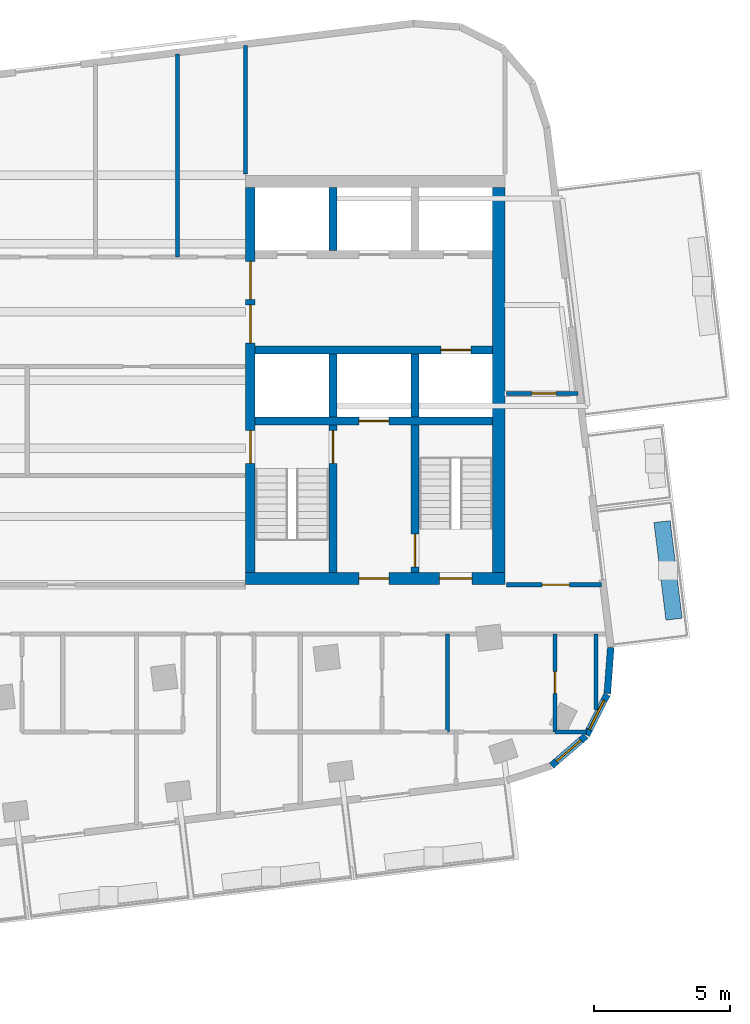
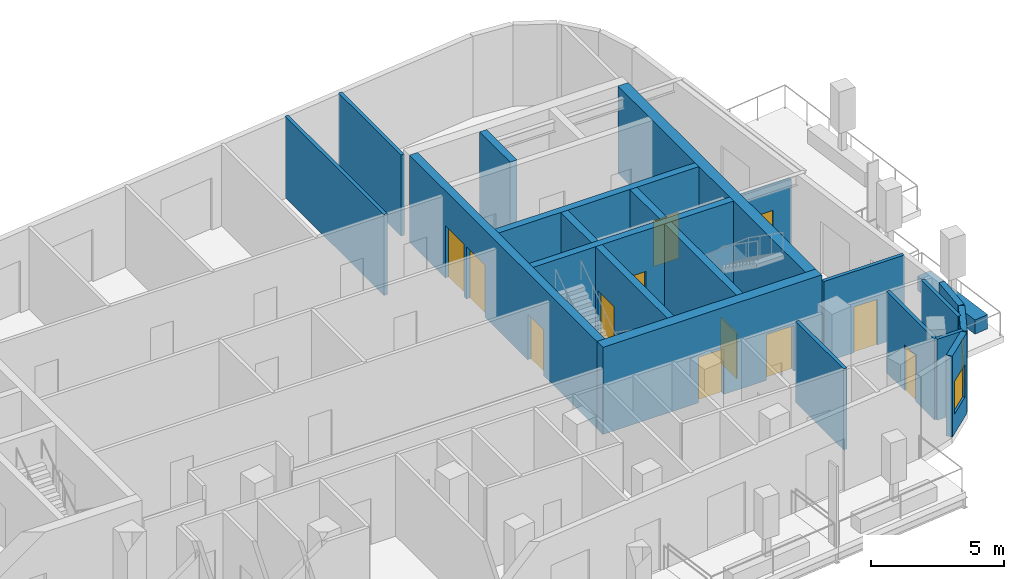
# One storey, part 6 of 11: 22 walls, 12 doors, 2 windows, 14 openings.
"""IFC4 building model written with IfcOpenShell, lengths in metres."""

import ifcopenshell
import ifcopenshell.guid

model = None  # the IFC model being written
_history = None  # IfcOwnerHistory: only IFC2X3 demands one
_inside = {}  # id of a spatial element -> (the spatial element, [elements in it])
_under = {}  # id of a project, library or spatial element -> (it, [spatial elements below it])
_declared = {}  # id of a project -> (the project, [libraries it declares])
_typed = {}  # id of a type object -> (the type object, [elements of that type])
_made_of = {}  # id of a material, layer set ... -> (it, [elements and type objects made of it])


def new_model(schema):
    """Start an empty IFC model of exactly this schema.

    Asked for "IFC4X3", IfcOpenShell would pick the latest addendum, in which some entities
    have other attributes; the version numbers below select the first issue.
    IFC2X3 requires an IfcOwnerHistory on every rooted entity: one is made here for all.
    """
    global model, _history
    if schema == "IFC4X3":
        model = ifcopenshell.file(schema_version=(4, 3, 0, 0))
    else:
        model = ifcopenshell.file(schema=schema)
    _inside.clear()
    _under.clear()
    _declared.clear()
    _typed.clear()
    _made_of.clear()
    _history = None
    if model.schema == "IFC2X3":
        org = make("IfcOrganization", Name="unknown")
        user = make(
            "IfcPersonAndOrganization",
            ThePerson=make("IfcPerson", FamilyName="unknown"),
            TheOrganization=org,
        )
        app = make(
            "IfcApplication",
            ApplicationDeveloper=org,
            Version="unknown",
            ApplicationFullName="unknown",
            ApplicationIdentifier="unknown",
        )
        _history = make(
            "IfcOwnerHistory",
            OwningUser=user,
            OwningApplication=app,
            ChangeAction="ADDED",
            CreationDate=0,
        )
    return model


def make(cls, **values):
    """One entity of the class cls with the attributes given. An attribute that is None is left unset."""
    return model.create_entity(
        cls, **{name: value for name, value in values.items() if value is not None}
    )


def rooted(cls, **values):
    """An entity with a GlobalId (a new one), such as an element, a storey or a relation."""
    return make(cls, GlobalId=ifcopenshell.guid.new(), OwnerHistory=_history, **values)


def si_unit(unit_type, name, prefix=None):
    """IfcSIUnit, for example si_unit("LENGTHUNIT", "METRE", prefix="MILLI")."""
    return make("IfcSIUnit", UnitType=unit_type, Prefix=prefix, Name=name)


def assignment(units):
    """IfcUnitAssignment: the units of a project."""
    return None if units is None else make("IfcUnitAssignment", Units=units)


def point(xyz):
    """IfcCartesianPoint."""
    return None if xyz is None else make("IfcCartesianPoint", Coordinates=xyz)


def direction(xyz):
    """IfcDirection."""
    return None if xyz is None else make("IfcDirection", DirectionRatios=xyz)


def frame(location, z_axis=None, x_axis=None):
    """IfcAxis2Placement3D, a coordinate frame: its origin and axes. An axis left out is left unset."""
    return make(
        "IfcAxis2Placement3D",
        Location=point(location),
        Axis=direction(z_axis),
        RefDirection=direction(x_axis),
    )


def frame_2d(location, x_axis=None):
    """IfcAxis2Placement2D, a coordinate frame in the plane: its origin and x axis."""
    return make(
        "IfcAxis2Placement2D", Location=point(location), RefDirection=direction(x_axis)
    )


def origin():
    """The frame at (0, 0, 0) with its axes left unset."""
    return frame((0.0, 0.0, 0.0))


def place(relative_to, where):
    """IfcLocalPlacement: puts the frame where relative to a parent placement (None: the world)."""
    return make(
        "IfcLocalPlacement", PlacementRelTo=relative_to, RelativePlacement=where
    )


def context(
    kind, dimensions, precision=None, world=None, true_north=None, identifier=None
):
    """IfcGeometricRepresentationContext, for example the 3D "Model" context."""
    return make(
        "IfcGeometricRepresentationContext",
        ContextIdentifier=identifier,
        ContextType=kind,
        CoordinateSpaceDimension=dimensions,
        Precision=precision,
        WorldCoordinateSystem=world,
        TrueNorth=true_north,
    )


def subcontext(parent, identifier, kind, view, scale=None):
    """IfcGeometricRepresentationSubContext, for example "Body" below "Model"."""
    return make(
        "IfcGeometricRepresentationSubContext",
        ContextIdentifier=identifier,
        ContextType=kind,
        ParentContext=parent,
        TargetScale=scale,
        TargetView=view,
    )


def project(units=None, contexts=None):
    """IfcProject with its units and contexts."""
    return rooted(
        "IfcProject",
        Name="project",
        RepresentationContexts=contexts,
        UnitsInContext=assignment(units),
    )


def spatial(cls, under=None, at=None, **own):
    """A site, building, storey or space (cls), placed at a placement, below another one or the project."""
    s = rooted(cls, ObjectPlacement=at, **own)
    if under is not None:
        _under.setdefault(under.id(), (under, []))[1].append(s)
    return s


def profile(cls, at=None, kind="AREA", **sizes):
    """A parametric profile (cls). Its sizes go by their IFC names, for example OverallWidth=200.0."""
    return make(cls, ProfileType=kind, Position=at, **sizes)


def rectangle(**sizes):
    """IfcRectangleProfileDef."""
    return profile("IfcRectangleProfileDef", **sizes)


def extrude(swept, where, along, depth):
    """IfcExtrudedAreaSolid: the profile swept, set in the frame where, extruded along a direction by depth."""
    return make(
        "IfcExtrudedAreaSolid",
        SweptArea=swept,
        Position=where,
        ExtrudedDirection=direction(along),
        Depth=depth,
    )


def shape(context_of_items, identifier, shape_type, items):
    """IfcShapeRepresentation: the items that make up one representation, for example the "Body"."""
    return make(
        "IfcShapeRepresentation",
        ContextOfItems=context_of_items,
        RepresentationIdentifier=identifier,
        RepresentationType=shape_type,
        Items=items,
    )


def material(Name=None, Category=None):
    """IfcMaterial."""
    return make("IfcMaterial", Name=Name, Category=Category)


def layer(
    of_material, thickness, ventilated=None, Name=None, Category=None, Priority=None
):
    """IfcMaterialLayer: one layer of a wall or slab, of a material (None: an air gap)."""
    return make(
        "IfcMaterialLayer",
        Material=of_material,
        LayerThickness=thickness,
        IsVentilated=ventilated,
        Name=Name,
        Category=Category,
        Priority=Priority,
    )


def layer_set(layers, Name=None):
    """IfcMaterialLayerSet."""
    return make("IfcMaterialLayerSet", MaterialLayers=layers, LayerSetName=Name)


def made_of(thing, what):
    """Note that an element or type object is made of a material, layer set ...; save() writes the relation."""
    if what is not None:
        _made_of.setdefault(what.id(), (what, []))[1].append(thing)
    return thing


def type_object(cls, material=None, **own):
    """A type object (cls), such as IfcWallType, which elements share."""
    return made_of(rooted(cls, **own), material)


def element(
    cls,
    number,
    at=None,
    inside=None,
    cuts=None,
    type_object=None,
    material=None,
    context=None,
    identifier="Body",
    shape_type=None,
    held_by="IfcProductDefinitionShape",
    body=None,
    shapes=None,
    **own,
):
    """One element of the class cls, such as IfcWall. Its Tag is "e" and its number.

    at: its placement. inside: the storey or other place that contains it. cuts: it is an
    opening in that element (IfcRelVoidsElement). A single representation is given by context,
    identifier, shape_type and body (its items); several are given by shapes. held_by: the class
    of the entity that holds the representations. save() writes the other relations.
    """
    e = rooted(cls, Tag="e%d" % number, ObjectPlacement=at, **own)
    if body is not None:
        shapes = [shape(context, identifier, shape_type, body)]
    if shapes is not None:
        e.Representation = make(held_by, Representations=shapes)
    if inside is not None:
        _inside.setdefault(inside.id(), (inside, []))[1].append(e)
    if cuts is not None:
        rooted(
            "IfcRelVoidsElement", RelatingBuildingElement=cuts, RelatedOpeningElement=e
        )
    if type_object is not None:
        _typed.setdefault(type_object.id(), (type_object, []))[1].append(e)
    return made_of(e, material)


def fill(opening, filler):
    """IfcRelFillsElement: the door or window that sits in an opening."""
    return rooted(
        "IfcRelFillsElement",
        RelatingOpeningElement=opening,
        RelatedBuildingElement=filler,
    )


def aggregate(whole, parts):
    """IfcRelAggregates: a whole, such as a stair, and the parts it consists of."""
    return rooted("IfcRelAggregates", RelatingObject=whole, RelatedObjects=parts)


def save(model, path):
    """Write the relations noted so far, then the file.

    IfcRelAggregates (storeys below a building ...), IfcRelContainedInSpatialStructure (elements
    in a storey), IfcRelDefinesByType, IfcRelAssociatesMaterial and IfcRelDeclares: one each for
    every whole, place, type object, material and project.
    """
    for whole, parts in _under.values():
        aggregate(whole, parts)
    for where, things in _inside.values():
        rooted(
            "IfcRelContainedInSpatialStructure",
            RelatedElements=things,
            RelatingStructure=where,
        )
    for kind, things in _typed.values():
        rooted("IfcRelDefinesByType", RelatedObjects=things, RelatingType=kind)
    for what, things in _made_of.values():
        rooted("IfcRelAssociatesMaterial", RelatedObjects=things, RelatingMaterial=what)
    for by, libraries in _declared.values():
        rooted("IfcRelDeclares", RelatingContext=by, RelatedDefinitions=libraries)
    model.write(path)


model = new_model("IFC4")

# Units and contexts
model_context = context("Model", 3, precision=1e-05, world=origin(), true_north=direction((0.0, 1.0)))
body_context = subcontext(model_context, "Body", "Model", "MODEL_VIEW")
ifc_project = project(units=[si_unit("LENGTHUNIT", "METRE"), si_unit("AREAUNIT", "SQUARE_METRE"), si_unit("VOLUMEUNIT", "CUBIC_METRE"), si_unit("PLANEANGLEUNIT", "RADIAN"), si_unit("MASSUNIT", "GRAM", prefix="KILO")], contexts=[model_context])

# Site, building, storey
site_placement = place(None, origin())
site = spatial("IfcSite", under=ifc_project, at=site_placement, CompositionType="ELEMENT")
building_placement = place(site_placement, origin())
building = spatial("IfcBuilding", under=site, at=building_placement, Name="Torana Hotel and Residences", CompositionType="ELEMENT")
storey_placement = place(building_placement, frame((0.0, 0.0, 322.60009765625)))
storey = spatial("IfcBuildingStorey", under=building, at=storey_placement, Name="L85", CompositionType="ELEMENT", Elevation=322.60009765625)

# Wall, opening, door
ifc_material_1 = material(Name="Concrete C60/75", Category="concrete")
ifc_layer_1 = layer(ifc_material_1, 0.300048828125)
ifc_layer_set_1 = layer_set([ifc_layer_1], Name="CORE WALL 300 C60/75")
wall_type_1 = type_object("IfcWallType", Name="CORE WALL 300 C60/75", PredefinedType="SHEAR", material=ifc_layer_set_1)
wall_1_placement = place(storey_placement, frame((10.35009765625, -6.39990234375, 0.0), z_axis=(0.0, 0.0, 1.0), x_axis=(1.0, 0.0, 0.0)))
wall_1 = element("IfcWall", 1, at=wall_1_placement, inside=storey, type_object=wall_type_1, Name="Core wall E row-S", PredefinedType="SHEAR", context=body_context, shape_type="SweptSolid", body=[
    extrude(rectangle(XDim=8.699951171875, YDim=0.300048828125, at=frame_2d((4.35009765625, 0.0))), origin(), (0.0, 0.0, 1.0), 4.0),
])
opening_1_placement = place(wall_1_placement, frame((6.800048828125, 0.0, 0.0)))
opening_1 = element("IfcOpeningElement", 2, at=opening_1_placement, cuts=wall_1, Name="Opening LD", PredefinedType="OPENING", context=body_context, shape_type="SweptSolid", body=[
    extrude(rectangle(XDim=1.10009765625, YDim=2.10009765625, at=frame_2d((0.550048828125, 1.050048828125))), frame((0.0, 0.159912109375, 0.0), z_axis=(0.0, -1.0, 0.0), x_axis=(1.0, 0.0, 0.0)), (0.0, 0.0, 1.0), 0.320068359375),
])
ifc_material_2 = material(Name="Stainless steel 316", Category="steel")
door_type_1 = type_object("IfcDoorType", Name="LIFT LANDING DOOR LD 1100x2100", OperationType="DOUBLE_DOOR_SLIDING", PredefinedType="USERDEFINED", material=ifc_material_2)
door_1_placement = place(opening_1_placement, origin())
door_1 = element("IfcDoor", 3, at=door_1_placement, inside=storey, type_object=door_type_1, Name="Lift landing door SV2 L85", ObjectType="LIFT LANDING DOOR", OperationType="DOUBLE_DOOR_SLIDING", OverallHeight=2.10009765625, OverallWidth=1.10009765625, PredefinedType="USERDEFINED", context=body_context, shape_type="SweptSolid", body=[
    extrude(rectangle(XDim=1.10009765625, YDim=2.10009765625, at=frame_2d((0.550048828125, 1.050048828125))), frame((0.0, 0.02490234375, 0.0), z_axis=(0.0, -1.0, 0.0), x_axis=(1.0, 0.0, 0.0)), (0.0, 0.0, 1.0), 0.050048828125),
])
fill(opening_1, door_1)

wall_2_placement = place(storey_placement, frame((10.35009765625, -9.0, 0.0), z_axis=(0.0, 0.0, 1.0), x_axis=(1.0, 0.0, 0.0)))
wall_2 = element("IfcWall", 4, at=wall_2_placement, inside=storey, type_object=wall_type_1, Name="Core wall E band", PredefinedType="SHEAR", context=body_context, shape_type="SweptSolid", body=[
    extrude(rectangle(XDim=8.699951171875, YDim=0.300048828125, at=frame_2d((4.35009765625, 0.0))), origin(), (0.0, 0.0, 1.0), 4.0),
])
opening_2_placement = place(wall_2_placement, frame((3.800048828125, 0.0, 0.0)))
opening_2 = element("IfcOpeningElement", 5, at=opening_2_placement, cuts=wall_2, Name="Opening LD", PredefinedType="OPENING", context=body_context, shape_type="SweptSolid", body=[
    extrude(rectangle(XDim=1.10009765625, YDim=2.10009765625, at=frame_2d((0.550048828125, 1.050048828125))), frame((0.0, 0.159912109375, 0.0), z_axis=(0.0, -1.0, 0.0), x_axis=(1.0, 0.0, 0.0)), (0.0, 0.0, 1.0), 0.320068359375),
])
door_2_placement = place(opening_2_placement, origin())
door_2 = element("IfcDoor", 6, at=door_2_placement, inside=storey, type_object=door_type_1, Name="Lift landing door FF2 L85", ObjectType="LIFT LANDING DOOR", OperationType="DOUBLE_DOOR_SLIDING", OverallHeight=2.10009765625, OverallWidth=1.10009765625, PredefinedType="USERDEFINED", context=body_context, shape_type="SweptSolid", body=[
    extrude(rectangle(XDim=1.10009765625, YDim=2.10009765625, at=frame_2d((0.550048828125, 1.050048828125))), frame((0.0, 0.02490234375, 0.0), z_axis=(0.0, -1.0, 0.0), x_axis=(1.0, 0.0, 0.0)), (0.0, 0.0, 1.0), 0.050048828125),
])
fill(opening_2, door_2)

# Walls
for number, where, z_axis, x_axis, name in (
    (7, (13.199951171875, -2.75, 0.0), (0.0, 0.0, 1.0), (0.0, 1.0, 0.0), "Core wall E x3.05-N"),
    (8, (13.199951171875, -8.85009765625, 0.0), (0.0, 0.0, 1.0), (0.0, 1.0, 0.0), "Core wall E x3.05-S"),
):
    element("IfcWall", number, at=place(storey_placement, frame(where, z_axis=z_axis, x_axis=x_axis)), inside=storey, type_object=wall_type_1, Name=name, PredefinedType="SHEAR", context=body_context, shape_type="SweptSolid", body=[
        extrude(rectangle(XDim=2.300048828125, YDim=0.300048828125, at=frame_2d((1.14990234375, 0.0))), origin(), (0.0, 0.0, 1.0), 4.0),
    ])

# Wall, opening, door
wall_3_placement = place(storey_placement, frame((13.199951171875, -14.550048828125, 0.0), z_axis=(0.0, 0.0, 1.0), x_axis=(0.0, 1.0, 0.0)))
wall_3 = element("IfcWall", 9, at=wall_3_placement, inside=storey, type_object=wall_type_1, Name="Core wall E x3.05-band", PredefinedType="SHEAR", context=body_context, shape_type="SweptSolid", body=[
    extrude(rectangle(XDim=5.400146484375, YDim=0.300048828125, at=frame_2d((2.7001953125, 0.0))), origin(), (0.0, 0.0, 1.0), 4.0),
])
opening_3_placement = place(wall_3_placement, frame((4.0, 0.0, 0.0)))
opening_3 = element("IfcOpeningElement", 10, at=opening_3_placement, cuts=wall_3, Name="Opening L85-15", PredefinedType="OPENING", context=body_context, shape_type="SweptSolid", body=[
    extrude(rectangle(XDim=1.199951171875, YDim=2.10009765625, at=frame_2d((0.60009765625, 1.050048828125))), frame((0.0, 0.159912109375, 0.0), z_axis=(0.0, -1.0, 0.0), x_axis=(1.0, 0.0, 0.0)), (0.0, 0.0, 1.0), 0.320068359375),
])
ifc_material_3 = material(Name="Steel S235", Category="steel")
door_type_2 = type_object("IfcDoorType", Name="STAIR FIRE DOOR D3 1200x2100", OperationType="SINGLE_SWING_LEFT", PredefinedType="DOOR", material=ifc_material_3)
door_3_placement = place(opening_3_placement, origin())
door_3 = element("IfcDoor", 11, at=door_3_placement, inside=storey, type_object=door_type_2, Name="Stair-A-lobby door L85", OperationType="SINGLE_SWING_LEFT", OverallHeight=2.10009765625, OverallWidth=1.199951171875, PredefinedType="DOOR", context=body_context, shape_type="SweptSolid", body=[
    extrude(rectangle(XDim=1.199951171875, YDim=2.10009765625, at=frame_2d((0.60009765625, 1.050048828125))), frame((0.0, 0.02490234375, 0.0), z_axis=(0.0, -1.0, 0.0), x_axis=(1.0, 0.0, 0.0)), (0.0, 0.0, 1.0), 0.050048828125),
])
fill(opening_3, door_3)

# Wall
wall_4_placement = place(storey_placement, frame((16.199951171875, -8.85009765625, 0.0), z_axis=(0.0, 0.0, 1.0), x_axis=(0.0, 1.0, 0.0)))
element("IfcWall", 12, at=wall_4_placement, inside=storey, type_object=wall_type_1, Name="Core wall E x6.05-S", PredefinedType="SHEAR", context=body_context, shape_type="SweptSolid", body=[
    extrude(rectangle(XDim=2.300048828125, YDim=0.300048828125, at=frame_2d((1.14990234375, 0.0))), origin(), (0.0, 0.0, 1.0), 4.0),
])

# Wall, opening, door
wall_5_placement = place(storey_placement, frame((16.199951171875, -14.550048828125, 0.0), z_axis=(0.0, 0.0, 1.0), x_axis=(0.0, 1.0, 0.0)))
wall_5 = element("IfcWall", 13, at=wall_5_placement, inside=storey, type_object=wall_type_1, Name="Core wall E x6.05-band", PredefinedType="SHEAR", context=body_context, shape_type="SweptSolid", body=[
    extrude(rectangle(XDim=5.400146484375, YDim=0.300048828125, at=frame_2d((2.7001953125, 0.0))), origin(), (0.0, 0.0, 1.0), 4.0),
])
opening_4_placement = place(wall_5_placement, frame((0.199951171875, 0.0, 0.0)))
opening_4 = element("IfcOpeningElement", 14, at=opening_4_placement, cuts=wall_5, Name="Opening L85-16", PredefinedType="OPENING", context=body_context, shape_type="SweptSolid", body=[
    extrude(rectangle(XDim=1.199951171875, YDim=2.10009765625, at=frame_2d((0.60009765625, 1.050048828125))), frame((0.0, 0.159912109375, 0.0), z_axis=(0.0, -1.0, 0.0), x_axis=(1.0, 0.0, 0.0)), (0.0, 0.0, 1.0), 0.320068359375),
])
door_4_placement = place(opening_4_placement, frame((0.60009765625, 0.0, 0.0), z_axis=(0.0, 0.0, 1.0), x_axis=(-1.0, 0.0, 0.0)))
door_4 = element("IfcDoor", 15, at=door_4_placement, inside=storey, type_object=door_type_2, Name="Stair-B-lobby door L85", OperationType="SINGLE_SWING_LEFT", OverallHeight=2.10009765625, OverallWidth=1.199951171875, PredefinedType="DOOR", context=body_context, shape_type="SweptSolid", body=[
    extrude(rectangle(XDim=1.199951171875, YDim=2.10009765625, at=frame_2d((0.0, 1.050048828125))), frame((0.0, -0.02490234375, 0.0), z_axis=(0.0, 1.0, 0.0), x_axis=(-1.0, 0.0, 0.0)), (0.0, 0.0, 1.0), 0.050048828125),
])
fill(opening_4, door_4)

# Wall, openings, doors
ifc_material_4 = material(Name="Concrete C60/75", Category="concrete")
ifc_layer_2 = layer(ifc_material_4, 0.35009765625)
ifc_layer_set_2 = layer_set([ifc_layer_2], Name="CORE WALL 350 C60/75")
wall_type_2 = type_object("IfcWallType", Name="CORE WALL 350 C60/75", PredefinedType="SHEAR", material=ifc_layer_set_2)
wall_6_placement = place(storey_placement, frame((10.175048828125, -14.550048828125, 0.0), z_axis=(0.0, 0.0, 1.0), x_axis=(0.0, 1.0, 0.0)))
wall_6 = element("IfcWall", 16, at=wall_6_placement, inside=storey, type_object=wall_type_2, Name="Core wall E arch", PredefinedType="SHEAR", context=body_context, shape_type="SweptSolid", body=[
    extrude(rectangle(XDim=14.10009765625, YDim=0.35009765625, at=frame_2d((7.050048828125, 0.0))), origin(), (0.0, 0.0, 1.0), 4.0),
])
opening_5_placement = place(wall_6_placement, frame((8.39990234375, 0.0, 0.0)))
opening_5 = element("IfcOpeningElement", 17, at=opening_5_placement, cuts=wall_6, Name="Opening L85-09", PredefinedType="OPENING", context=body_context, shape_type="SweptSolid", body=[
    extrude(rectangle(XDim=1.39990234375, YDim=2.39990234375, at=frame_2d((0.699951171875, 1.199951171875))), frame((0.0, 0.18505859375, 0.0), z_axis=(0.0, -1.0, 0.0), x_axis=(1.0, 0.0, 0.0)), (0.0, 0.0, 1.0), 0.3701171875),
])
opening_6_placement = place(wall_6_placement, frame((10.0, 0.0, 0.0)))
opening_6 = element("IfcOpeningElement", 18, at=opening_6_placement, cuts=wall_6, Name="Opening L85-10", PredefinedType="OPENING", context=body_context, shape_type="SweptSolid", body=[
    extrude(rectangle(XDim=1.39990234375, YDim=2.39990234375, at=frame_2d((0.699951171875, 1.199951171875))), frame((0.0, 0.18505859375, 0.0), z_axis=(0.0, -1.0, 0.0), x_axis=(1.0, 0.0, 0.0)), (0.0, 0.0, 1.0), 0.3701171875),
])
opening_7_placement = place(wall_6_placement, frame((4.0, 0.0, 0.0)))
opening_7 = element("IfcOpeningElement", 19, at=opening_7_placement, cuts=wall_6, Name="Opening L85-11", PredefinedType="OPENING", context=body_context, shape_type="SweptSolid", body=[
    extrude(rectangle(XDim=1.199951171875, YDim=2.10009765625, at=frame_2d((0.60009765625, 1.050048828125))), frame((0.0, 0.18505859375, 0.0), z_axis=(0.0, -1.0, 0.0), x_axis=(1.0, 0.0, 0.0)), (0.0, 0.0, 1.0), 0.3701171875),
])
ifc_material_5 = material(Name="Steel S235", Category="steel")
door_type_3 = type_object("IfcDoorType", Name="LOBBY FIRE DOOR D4 1400x2400", OperationType="DOUBLE_DOOR_SINGLE_SWING", PredefinedType="DOOR", material=ifc_material_5)
door_5_placement = place(opening_5_placement, origin())
door_5 = element("IfcDoor", 20, at=door_5_placement, inside=storey, type_object=door_type_3, Name="Lobby-1 door L85", OperationType="DOUBLE_DOOR_SINGLE_SWING", OverallHeight=2.39990234375, OverallWidth=1.39990234375, PredefinedType="DOOR", context=body_context, shape_type="SweptSolid", body=[
    extrude(rectangle(XDim=1.39990234375, YDim=2.39990234375, at=frame_2d((0.699951171875, 1.199951171875))), frame((0.0, 0.02490234375, 0.0), z_axis=(0.0, -1.0, 0.0), x_axis=(1.0, 0.0, 0.0)), (0.0, 0.0, 1.0), 0.050048828125),
])
fill(opening_5, door_5)
door_6_placement = place(opening_6_placement, origin())
door_6 = element("IfcDoor", 21, at=door_6_placement, inside=storey, type_object=door_type_3, Name="Lobby-2 door L85", OperationType="DOUBLE_DOOR_SINGLE_SWING", OverallHeight=2.39990234375, OverallWidth=1.39990234375, PredefinedType="DOOR", context=body_context, shape_type="SweptSolid", body=[
    extrude(rectangle(XDim=1.39990234375, YDim=2.39990234375, at=frame_2d((0.699951171875, 1.199951171875))), frame((0.0, 0.02490234375, 0.0), z_axis=(0.0, -1.0, 0.0), x_axis=(1.0, 0.0, 0.0)), (0.0, 0.0, 1.0), 0.050048828125),
])
fill(opening_6, door_6)
door_7_placement = place(opening_7_placement, frame((0.60009765625, 0.0, 0.0), z_axis=(0.0, 0.0, 1.0), x_axis=(-1.0, 0.0, 0.0)))
door_7 = element("IfcDoor", 22, at=door_7_placement, inside=storey, type_object=door_type_2, Name="Stair-A door L85", OperationType="SINGLE_SWING_RIGHT", OverallHeight=2.10009765625, OverallWidth=1.199951171875, PredefinedType="DOOR", context=body_context, shape_type="SweptSolid", body=[
    extrude(rectangle(XDim=1.199951171875, YDim=2.10009765625, at=frame_2d((0.0, 1.050048828125))), frame((0.0, -0.02490234375, 0.0), z_axis=(0.0, 1.0, 0.0), x_axis=(-1.0, 0.0, 0.0)), (0.0, 0.0, 1.0), 0.050048828125),
])
fill(opening_7, door_7)

ifc_material_6 = material(Name="Concrete C60/75", Category="concrete")
ifc_layer_3 = layer(ifc_material_6, 0.449951171875)
ifc_layer_set_3 = layer_set([ifc_layer_3], Name="CORE WALL 450 C60/75")
wall_type_3 = type_object("IfcWallType", Name="CORE WALL 450 C60/75", PredefinedType="SHEAR", material=ifc_layer_set_3)
wall_7_placement = place(storey_placement, frame((10.0, -14.77490234375, 0.0), z_axis=(0.0, 0.0, 1.0), x_axis=(1.0, 0.0, 0.0)))
wall_7 = element("IfcWall", 23, at=wall_7_placement, inside=storey, type_object=wall_type_3, Name="Core wall E front", PredefinedType="SHEAR", context=body_context, shape_type="SweptSolid", body=[
    extrude(rectangle(XDim=9.5, YDim=0.449951171875, at=frame_2d((4.75, 0.0))), origin(), (0.0, 0.0, 1.0), 4.0),
])
opening_8_placement = place(wall_7_placement, frame((7.10009765625, 0.0, 0.0)))
opening_8 = element("IfcOpeningElement", 24, at=opening_8_placement, cuts=wall_7, Name="Opening L85-12", PredefinedType="OPENING", context=body_context, shape_type="SweptSolid", body=[
    extrude(rectangle(XDim=1.199951171875, YDim=2.10009765625, at=frame_2d((0.60009765625, 1.050048828125))), frame((0.0, 0.23486328125, 0.0), z_axis=(0.0, -1.0, 0.0), x_axis=(1.0, 0.0, 0.0)), (0.0, 0.0, 1.0), 0.469970703125),
])
opening_9_placement = place(wall_7_placement, frame((4.14990234375, 0.0, 0.0)))
opening_9 = element("IfcOpeningElement", 25, at=opening_9_placement, cuts=wall_7, Name="Opening L85-13", PredefinedType="OPENING", context=body_context, shape_type="SweptSolid", body=[
    extrude(rectangle(XDim=1.10009765625, YDim=2.10009765625, at=frame_2d((0.550048828125, 1.050048828125))), frame((0.0, 0.23486328125, 0.0), z_axis=(0.0, -1.0, 0.0), x_axis=(1.0, 0.0, 0.0)), (0.0, 0.0, 1.0), 0.469970703125),
])
ifc_material_7 = material(Name="Steel S235", Category="steel")
door_type_4 = type_object("IfcDoorType", Name="FIRE-FIGHTING LOBBY DOOR D8 1100x2100", OperationType="SINGLE_SWING_LEFT", PredefinedType="DOOR", material=ifc_material_7)
door_8_placement = place(opening_9_placement, origin())
door_8 = element("IfcDoor", 26, at=door_8_placement, inside=storey, type_object=door_type_4, Name="FF-lobby door L85", OperationType="SINGLE_SWING_RIGHT", OverallHeight=2.10009765625, OverallWidth=1.10009765625, PredefinedType="DOOR", context=body_context, shape_type="SweptSolid", body=[
    extrude(rectangle(XDim=1.10009765625, YDim=2.10009765625, at=frame_2d((0.550048828125, 1.050048828125))), frame((0.0, 0.02490234375, 0.0), z_axis=(0.0, -1.0, 0.0), x_axis=(1.0, 0.0, 0.0)), (0.0, 0.0, 1.0), 0.050048828125),
])
fill(opening_9, door_8)
door_9_placement = place(opening_8_placement, origin())
door_9 = element("IfcDoor", 27, at=door_9_placement, inside=storey, type_object=door_type_2, Name="Stair-B door L85", OperationType="SINGLE_SWING_RIGHT", OverallHeight=2.10009765625, OverallWidth=1.199951171875, PredefinedType="DOOR", context=body_context, shape_type="SweptSolid", body=[
    extrude(rectangle(XDim=1.199951171875, YDim=2.10009765625, at=frame_2d((0.60009765625, 1.050048828125))), frame((0.0, 0.02490234375, 0.0), z_axis=(0.0, -1.0, 0.0), x_axis=(1.0, 0.0, 0.0)), (0.0, 0.0, 1.0), 0.050048828125),
])
fill(opening_8, door_9)

# Wall
wall_8_placement = place(storey_placement, frame((19.27490234375, -14.550048828125, 0.0), z_axis=(0.0, 0.0, 1.0), x_axis=(0.0, 1.0, 0.0)))
element("IfcWall", 28, at=wall_8_placement, inside=storey, type_object=wall_type_3, Name="Core wall E outer", PredefinedType="SHEAR", context=body_context, shape_type="SweptSolid", body=[
    extrude(rectangle(XDim=14.10009765625, YDim=0.449951171875, at=frame_2d((7.050048828125, 0.0))), origin(), (0.0, 0.0, 1.0), 4.0),
])

# Wall, opening, window
ifc_material_8 = material(Name="Black aluminium composite panel", Category="aluminium")
ifc_layer_4 = layer(ifc_material_8, 0.00390625, Name="Cladding", Category="cladding")
ifc_material_9 = material(Name="Ventilated air cavity")
ifc_layer_5 = layer(ifc_material_9, 0.0400390625, Name="Ventilated cavity", Category="cavity")
ifc_material_10 = material(Name="Mineral wool insulation")
ifc_layer_6 = layer(ifc_material_10, 0.090087890625, Name="Insulation", Category="insulation")
ifc_material_11 = material(Name="Steel S280GD", Category="steel")
ifc_layer_7 = layer(ifc_material_11, 0.092041015625, Name="Steel stud frame", Category="structure")
ifc_material_12 = material(Name="Fire rated plasterboard")
ifc_layer_8 = layer(ifc_material_12, 0.011962890625, Name="Inner board", Category="finish")
ifc_layer_9 = layer(ifc_material_12, 0.011962890625, Name="Second board", Category="finish")
ifc_layer_set_4 = layer_set([ifc_layer_4, ifc_layer_5, ifc_layer_6, ifc_layer_7, ifc_layer_8, ifc_layer_9], Name="EW1 EXTERNAL WALL BLACK METAL CLAD 250")
wall_type_4 = type_object("IfcWallType", Name="EW1 EXTERNAL WALL BLACK METAL CLAD 250", PredefinedType="SOLIDWALL", material=ifc_layer_set_4)
wall_9_placement = place(storey_placement, frame((21.207763671875, -21.624267578125, 0.0), z_axis=(0.0, 0.0, 1.0), x_axis=(0.757568315466, 0.652755886531, 0.0)))
wall_9 = element("IfcWall", 29, at=wall_9_placement, inside=storey, type_object=wall_type_4, Name="External wall L85 e0.16", PredefinedType="SOLIDWALL", context=body_context, shape_type="SweptSolid", body=[
    extrude(rectangle(XDim=1.65625, YDim=0.25, at=frame_2d((0.828125, 0.0))), origin(), (0.0, 0.0, 1.0), 3.719970703125),
])
opening_10_placement = place(wall_9_placement, frame((0.228271484375, 0.0, 0.89990234375)))
opening_10 = element("IfcOpeningElement", 30, at=opening_10_placement, cuts=wall_9, Name="Opening W5", PredefinedType="OPENING", context=body_context, shape_type="SweptSolid", body=[
    extrude(rectangle(XDim=1.199951171875, YDim=1.5, at=frame_2d((0.60009765625, 0.75))), frame((0.0, 0.135009765625, 0.0), z_axis=(0.0, -1.0, 0.0), x_axis=(1.0, 0.0, 0.0)), (0.0, 0.0, 1.0), 0.27001953125),
])
ifc_material_13 = material(Name="Dark glass in black aluminium frame", Category="aluminium")
window_type = type_object("IfcWindowType", Name="W5 CORNER FACET WINDOW 1200x1500", PartitioningType="SINGLE_PANEL", PredefinedType="WINDOW", material=ifc_material_13)
window_1_placement = place(opening_10_placement, origin())
window_1 = element("IfcWindow", 31, at=window_1_placement, inside=storey, type_object=window_type, Name="Window L85 e0.16", OverallHeight=1.5, OverallWidth=1.199951171875, PartitioningType="SINGLE_PANEL", PredefinedType="WINDOW", context=body_context, shape_type="SweptSolid", body=[
    extrude(rectangle(XDim=1.199951171875, YDim=1.5, at=frame_2d((0.60009765625, 0.75))), frame((0.0, 0.030029296875, 0.0), z_axis=(0.0, -1.0, 0.0), x_axis=(1.0, 0.0, 0.0)), (0.0, 0.0, 1.0), 0.06005859375),
])
fill(opening_10, window_1)

wall_10_placement = place(storey_placement, frame((22.49267578125, -20.504638671875, 0.0), z_axis=(0.0, 0.0, 1.0), x_axis=(0.449982385812, 0.893037430604, 0.0)))
wall_10 = element("IfcWall", 32, at=wall_10_placement, inside=storey, type_object=wall_type_4, Name="External wall L85 e0.17", PredefinedType="SOLIDWALL", context=body_context, shape_type="SweptSolid", body=[
    extrude(rectangle(XDim=1.656494140625, YDim=0.25, at=frame_2d((0.828125, 0.0))), origin(), (0.0, 0.0, 1.0), 3.719970703125),
])
opening_11_placement = place(wall_10_placement, frame((0.228271484375, 0.0, 0.89990234375)))
opening_11 = element("IfcOpeningElement", 33, at=opening_11_placement, cuts=wall_10, Name="Opening W5", PredefinedType="OPENING", context=body_context, shape_type="SweptSolid", body=[
    extrude(rectangle(XDim=1.199951171875, YDim=1.5, at=frame_2d((0.60009765625, 0.75))), frame((0.0, 0.135009765625, 0.0), z_axis=(0.0, -1.0, 0.0), x_axis=(1.0, 0.0, 0.0)), (0.0, 0.0, 1.0), 0.27001953125),
])
window_2_placement = place(opening_11_placement, origin())
window_2 = element("IfcWindow", 34, at=window_2_placement, inside=storey, type_object=window_type, Name="Window L85 e0.17", OverallHeight=1.5, OverallWidth=1.199951171875, PartitioningType="SINGLE_PANEL", PredefinedType="WINDOW", context=body_context, shape_type="SweptSolid", body=[
    extrude(rectangle(XDim=1.199951171875, YDim=1.5, at=frame_2d((0.60009765625, 0.75))), frame((0.0, 0.030029296875, 0.0), z_axis=(0.0, -1.0, 0.0), x_axis=(1.0, 0.0, 0.0)), (0.0, 0.0, 1.0), 0.06005859375),
])
fill(opening_11, window_2)

# Walls
wall_11_placement = place(storey_placement, frame((23.251220703125, -18.978515625, 0.0), z_axis=(0.0, 0.0, 1.0), x_axis=(0.074053534713, 0.997254267475, 0.0)))
element("IfcWall", 35, at=wall_11_placement, inside=storey, type_object=wall_type_4, Name="External wall L85 e0.18", PredefinedType="SOLIDWALL", context=body_context, shape_type="SweptSolid", body=[
    extrude(rectangle(XDim=1.681396484375, YDim=0.25, at=frame_2d((0.8408203125, 0.0))), origin(), (0.0, 0.0, 1.0), 3.719970703125),
])
ifc_material_14 = material(Name="Gypsum plaster")
ifc_layer_10 = layer(ifc_material_14, 0.014892578125, Name="Plaster", Category="finish")
ifc_material_15 = material(Name="Concrete blockwork", Category="masonry")
ifc_layer_11 = layer(ifc_material_15, 0.1201171875, Name="Blockwork", Category="structure")
ifc_layer_12 = layer(ifc_material_14, 0.014892578125, Name="Plaster", Category="finish")
ifc_layer_set_5 = layer_set([ifc_layer_10, ifc_layer_11, ifc_layer_12], Name="FIRE PARTITION 150 BLOCKWORK")
wall_type_5 = type_object("IfcWallType", Name="FIRE PARTITION 150 BLOCKWORK", PredefinedType="PARTITIONING", material=ifc_layer_set_5)
wall_12_placement = place(storey_placement, frame((17.39990234375, -20.39990234375, 0.0), z_axis=(0.0, 0.0, 1.0), x_axis=(0.0, 1.0, 0.0)))
element("IfcWall", 36, at=wall_12_placement, inside=storey, type_object=wall_type_5, Name="Partition L85", PredefinedType="PARTITIONING", context=body_context, shape_type="SweptSolid", body=[
    extrude(rectangle(XDim=3.599853515625, YDim=0.14990234375, at=frame_2d((1.7998046875, 0.0))), origin(), (0.0, 0.0, 1.0), 3.719970703125),
])

# Wall, opening, door
wall_13_placement = place(storey_placement, frame((19.550048828125, -15.0, 0.0), z_axis=(0.0, 0.0, 1.0), x_axis=(1.0, 0.0, 0.0)))
wall_13 = element("IfcWall", 37, at=wall_13_placement, inside=storey, type_object=wall_type_5, Name="Partition L85", PredefinedType="PARTITIONING", context=body_context, shape_type="SweptSolid", body=[
    extrude(rectangle(XDim=3.489990234375, YDim=0.14990234375, at=frame_2d((1.7451171875, 0.0))), origin(), (0.0, 0.0, 1.0), 3.719970703125),
])
opening_12_placement = place(wall_13_placement, frame((1.31103515625, 0.0, 0.0)))
opening_12 = element("IfcOpeningElement", 38, at=opening_12_placement, cuts=wall_13, Name="Opening L85-26", PredefinedType="OPENING", context=body_context, shape_type="SweptSolid", body=[
    extrude(rectangle(XDim=1.0, YDim=2.10009765625, at=frame_2d((0.5, 1.050048828125))), frame((0.0, 0.0849609375, 0.0), z_axis=(0.0, -1.0, 0.0), x_axis=(1.0, 0.0, 0.0)), (0.0, 0.0, 1.0), 0.169921875),
])
ifc_material_16 = material(Name="Steel S235", Category="steel")
door_type_5 = type_object("IfcDoorType", Name="CORE ROOM FIRE DOOR D14 1000x2100", OperationType="SINGLE_SWING_LEFT", PredefinedType="DOOR", material=ifc_material_16)
door_10_placement = place(opening_12_placement, origin())
door_10 = element("IfcDoor", 39, at=door_10_placement, inside=storey, type_object=door_type_5, Name="Door L85", OperationType="SINGLE_SWING_LEFT", OverallHeight=2.10009765625, OverallWidth=1.0, PredefinedType="DOOR", context=body_context, shape_type="SweptSolid", body=[
    extrude(rectangle(XDim=1.0, YDim=2.10009765625, at=frame_2d((0.5, 1.050048828125))), frame((0.0, 0.02490234375, 0.0), z_axis=(0.0, -1.0, 0.0), x_axis=(1.0, 0.0, 0.0)), (0.0, 0.0, 1.0), 0.050048828125),
])
fill(opening_12, door_10)

ifc_material_17 = material(Name="Gypsum plasterboard")
ifc_layer_13 = layer(ifc_material_17, 0.012451171875, Name="Plasterboard", Category="finish")
ifc_layer_14 = layer(ifc_material_17, 0.012451171875, Name="Plasterboard", Category="finish")
ifc_layer_15 = layer(ifc_material_11, 0.10009765625, Name="Steel studs with mineral wool", Category="insulation")
ifc_layer_16 = layer(ifc_material_17, 0.012451171875, Name="Plasterboard", Category="finish")
ifc_layer_17 = layer(ifc_material_17, 0.012451171875, Name="Plasterboard", Category="finish")
ifc_layer_set_6 = layer_set([ifc_layer_13, ifc_layer_14, ifc_layer_15, ifc_layer_16, ifc_layer_17], Name="PARTITION 150 PLASTERBOARD")
wall_type_6 = type_object("IfcWallType", Name="PARTITION 150 PLASTERBOARD", PredefinedType="PARTITIONING", material=ifc_layer_set_6)
wall_14_placement = place(storey_placement, frame((19.550048828125, -8.0, 0.0), z_axis=(0.0, 0.0, 1.0), x_axis=(1.0, 0.0, 0.0)))
wall_14 = element("IfcWall", 40, at=wall_14_placement, inside=storey, type_object=wall_type_6, Name="Partition L85", PredefinedType="PARTITIONING", context=body_context, shape_type="SweptSolid", body=[
    extrude(rectangle(XDim=2.630615234375, YDim=0.14990234375, at=frame_2d((1.3154296875, 0.0))), origin(), (0.0, 0.0, 1.0), 3.2529296875),
])
opening_13_placement = place(wall_14_placement, frame((0.930908203125, 0.0, 0.0)))
opening_13 = element("IfcOpeningElement", 41, at=opening_13_placement, cuts=wall_14, Name="Opening L85-53", PredefinedType="OPENING", context=body_context, shape_type="SweptSolid", body=[
    extrude(rectangle(XDim=0.89990234375, YDim=2.10009765625, at=frame_2d((0.449951171875, 1.050048828125))), frame((0.0, 0.0849609375, 0.0), z_axis=(0.0, -1.0, 0.0), x_axis=(1.0, 0.0, 0.0)), (0.0, 0.0, 1.0), 0.169921875),
])
ifc_material_18 = material(Name="Timber door, oiled ash", Category="wood")
door_type_6 = type_object("IfcDoorType", Name="ROOM DOOR D7 900x2100", OperationType="SINGLE_SWING_LEFT", PredefinedType="DOOR", material=ifc_material_18)
door_11_placement = place(opening_13_placement, origin())
door_11 = element("IfcDoor", 42, at=door_11_placement, inside=storey, type_object=door_type_6, Name="Door L85", OperationType="SINGLE_SWING_LEFT", OverallHeight=2.10009765625, OverallWidth=0.89990234375, PredefinedType="DOOR", context=body_context, shape_type="SweptSolid", body=[
    extrude(rectangle(XDim=0.89990234375, YDim=2.10009765625, at=frame_2d((0.449951171875, 1.050048828125))), frame((0.0, 0.02490234375, 0.0), z_axis=(0.0, -1.0, 0.0), x_axis=(1.0, 0.0, 0.0)), (0.0, 0.0, 1.0), 0.050048828125),
])
fill(opening_13, door_11)

# Walls
ifc_material_19 = material(Name="Concrete C40/50 precast", Category="concrete")
ifc_layer_18 = layer(ifc_material_19, 0.10009765625, Name="Planter shell", Category="structure")
ifc_material_20 = material(Name="Root resistant membrane")
ifc_layer_19 = layer(ifc_material_20, 0.00390625, Name="Waterproofing membrane", Category="membrane")
ifc_material_21 = material(Name="Drainage board with filter fleece")
ifc_layer_20 = layer(ifc_material_21, 0.02001953125, Name="Drainage board", Category="drainage")
ifc_material_22 = material(Name="Growing medium")
ifc_layer_21 = layer(ifc_material_22, 0.47607421875, Name="Planting substrate", Category="soil")
ifc_layer_set_7 = layer_set([ifc_layer_18, ifc_layer_19, ifc_layer_20, ifc_layer_21], Name="PL1 BALCONY PLANTER 600")
wall_type_7 = type_object("IfcWallType", Name="PL1 BALCONY PLANTER 600", PredefinedType="USERDEFINED", material=ifc_layer_set_7)
wall_15_placement = place(storey_placement, frame((25.2548828125, -12.6884765625, 0.0), z_axis=(0.0, 0.0, 1.0), x_axis=(0.121864343918, -0.992546765488, 0.0)))
element("IfcWall", 43, at=wall_15_placement, inside=storey, type_object=wall_type_7, Name="Planter 10", ObjectType="PLANTER", PredefinedType="USERDEFINED", context=body_context, shape_type="SweptSolid", body=[
    extrude(rectangle(XDim=3.60009765625, YDim=0.60009765625, at=frame_2d((1.800048828125, 0.0))), origin(), (0.0, 0.0, 1.0), 0.64990234375),
])
ifc_material_23 = material(Name="Ceramic tile on adhesive")
ifc_layer_22 = layer(ifc_material_23, 0.010009765625, Name="Wall tile", Category="finish")
ifc_material_24 = material(Name="Cement render")
ifc_layer_23 = layer(ifc_material_24, 0.010009765625, Name="Render", Category="finish")
ifc_layer_24 = layer(ifc_material_15, 0.110107421875, Name="Blockwork", Category="structure")
ifc_layer_25 = layer(ifc_material_24, 0.010009765625, Name="Render", Category="finish")
ifc_layer_26 = layer(ifc_material_23, 0.010009765625, Name="Wall tile", Category="finish")
ifc_layer_set_8 = layer_set([ifc_layer_22, ifc_layer_23, ifc_layer_24, ifc_layer_25, ifc_layer_26], Name="WC PARTITION 150")
wall_type_8 = type_object("IfcWallType", Name="WC PARTITION 150", PredefinedType="PLUMBINGWALL", material=ifc_layer_set_8)
wall_16_placement = place(storey_placement, frame((22.8359375, -19.56787109375, 0.0), z_axis=(0.0, 0.0, 1.0), x_axis=(0.0, 1.0, 0.0)))
element("IfcWall", 44, at=wall_16_placement, inside=storey, type_object=wall_type_8, Name="Partition L85", PredefinedType="PLUMBINGWALL", context=body_context, shape_type="SweptSolid", body=[
    extrude(rectangle(XDim=2.767822265625, YDim=0.14990234375, at=frame_2d((1.3837890625, 0.0))), origin(), (0.0, 0.0, 1.0), 3.719970703125),
])

# Wall, opening, door
wall_17_placement = place(storey_placement, frame((21.3359375, -20.39990234375, 0.0), z_axis=(0.0, 0.0, 1.0), x_axis=(0.0, 1.0, 0.0)))
wall_17 = element("IfcWall", 45, at=wall_17_placement, inside=storey, type_object=wall_type_8, Name="Partition L85", PredefinedType="PLUMBINGWALL", context=body_context, shape_type="SweptSolid", body=[
    extrude(rectangle(XDim=3.599853515625, YDim=0.14990234375, at=frame_2d((1.7998046875, 0.0))), origin(), (0.0, 0.0, 1.0), 3.719970703125),
])
opening_14_placement = place(wall_17_placement, frame((1.419921875, 0.0, 0.0)))
opening_14 = element("IfcOpeningElement", 46, at=opening_14_placement, cuts=wall_17, Name="Opening L85-51", PredefinedType="OPENING", context=body_context, shape_type="SweptSolid", body=[
    extrude(rectangle(XDim=0.800048828125, YDim=2.10009765625, at=frame_2d((0.39990234375, 1.050048828125))), frame((0.0, 0.0849609375, 0.0), z_axis=(0.0, -1.0, 0.0), x_axis=(1.0, 0.0, 0.0)), (0.0, 0.0, 1.0), 0.169921875),
])
ifc_material_25 = material(Name="Timber door, painted", Category="wood")
door_type_7 = type_object("IfcDoorType", Name="BATH DOOR D13 800x2100", OperationType="SINGLE_SWING_LEFT", PredefinedType="DOOR", material=ifc_material_25)
door_12_placement = place(opening_14_placement, origin())
door_12 = element("IfcDoor", 47, at=door_12_placement, inside=storey, type_object=door_type_7, Name="Door L85", OperationType="SINGLE_SWING_RIGHT", OverallHeight=2.10009765625, OverallWidth=0.800048828125, PredefinedType="DOOR", context=body_context, shape_type="SweptSolid", body=[
    extrude(rectangle(XDim=0.800048828125, YDim=2.10009765625, at=frame_2d((0.39990234375, 1.050048828125))), frame((0.0, 0.02490234375, 0.0), z_axis=(0.0, -1.0, 0.0), x_axis=(1.0, 0.0, 0.0)), (0.0, 0.0, 1.0), 0.050048828125),
])
fill(opening_14, door_12)

# Walls
wall_18_placement = place(storey_placement, frame((10.0, 0.050048828125, 0.0), z_axis=(0.0, 0.0, 1.0), x_axis=(0.0, 1.0, 0.0)))
element("IfcWall", 48, at=wall_18_placement, inside=storey, type_object=wall_type_8, Name="Partition L85", PredefinedType="PLUMBINGWALL", context=body_context, shape_type="SweptSolid", body=[
    extrude(rectangle(XDim=4.7021484375, YDim=0.14990234375, at=frame_2d((2.35107421875, 0.0))), origin(), (0.0, 0.0, 1.0), 3.719970703125),
])
wall_19_placement = place(storey_placement, frame((7.5, -3.0, 0.0), z_axis=(0.0, 0.0, 1.0), x_axis=(0.0, 1.0, 0.0)))
element("IfcWall", 49, at=wall_19_placement, inside=storey, type_object=wall_type_8, Name="Partition L85", PredefinedType="PLUMBINGWALL", context=body_context, shape_type="SweptSolid", body=[
    extrude(rectangle(XDim=7.4453125, YDim=0.14990234375, at=frame_2d((3.72265625, 0.0))), origin(), (0.0, 0.0, 1.0), 3.719970703125),
])
wall_20_placement = place(storey_placement, frame((21.3359375, -20.39990234375, 0.0), z_axis=(0.0, 0.0, 1.0), x_axis=(1.0, 0.0, 0.0)))
element("IfcWall", 50, at=wall_20_placement, inside=storey, type_object=wall_type_8, Name="Partition L85", PredefinedType="PLUMBINGWALL", context=body_context, shape_type="SweptSolid", body=[
    extrude(rectangle(XDim=1.147705078125, YDim=0.14990234375, at=frame_2d((0.57373046875, 0.0))), origin(), (0.0, 0.0, 1.0), 3.719970703125),
])

save(model, "model.ifc")
